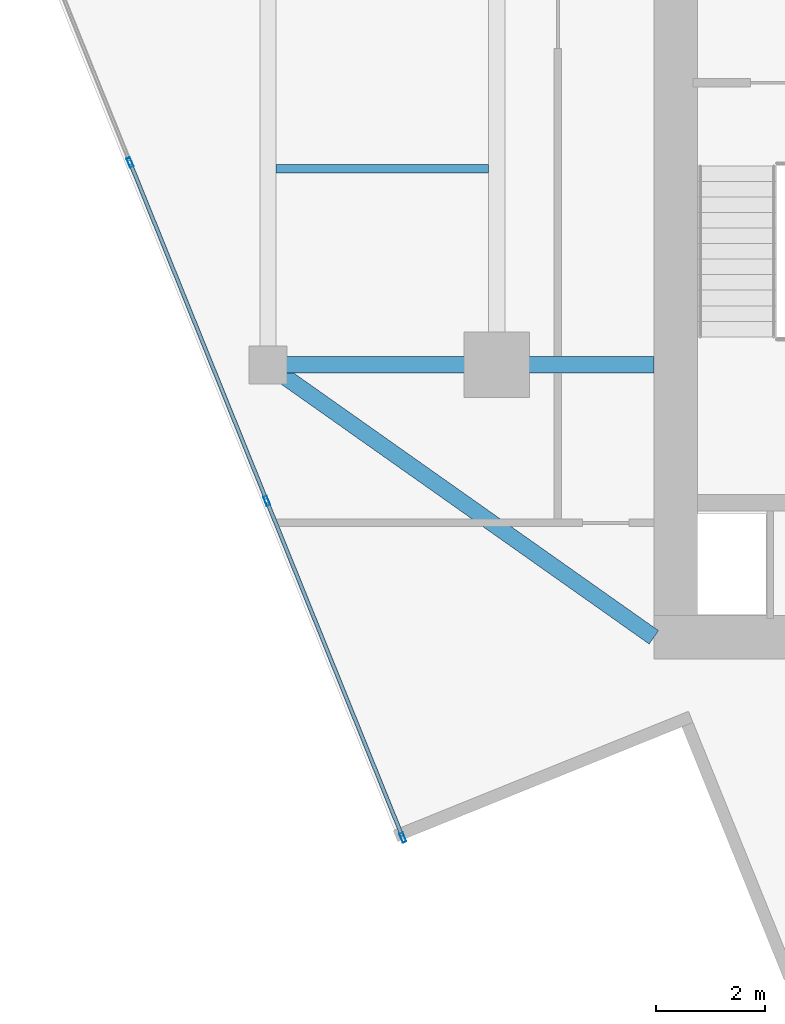
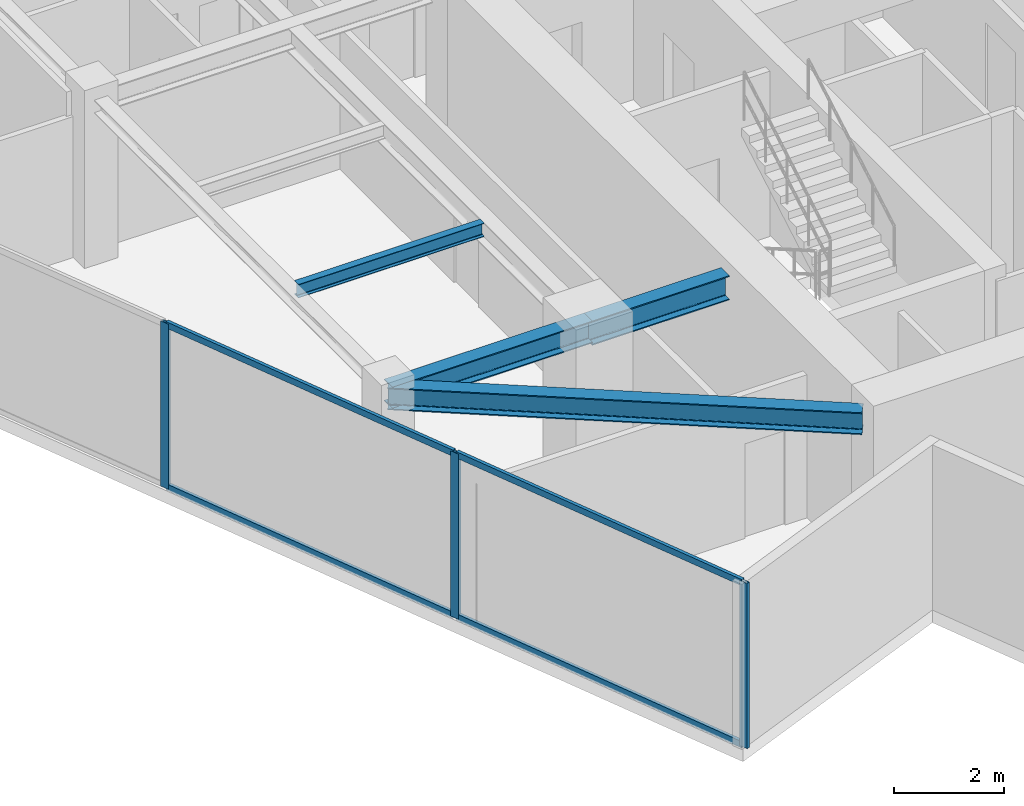
# One storey, part 2 of 21: 7 members, 4 beams, 1 element without a shape of its own.
"""IFC4 building model written with IfcOpenShell, lengths in metres."""

import ifcopenshell
import ifcopenshell.guid

model = None  # the IFC model being written
_history = None  # IfcOwnerHistory: only IFC2X3 demands one
_inside = {}  # id of a spatial element -> (the spatial element, [elements in it])
_under = {}  # id of a project, library or spatial element -> (it, [spatial elements below it])
_declared = {}  # id of a project -> (the project, [libraries it declares])
_typed = {}  # id of a type object -> (the type object, [elements of that type])
_made_of = {}  # id of a material, layer set ... -> (it, [elements and type objects made of it])


def new_model(schema):
    """Start an empty IFC model of exactly this schema.

    Asked for "IFC4X3", IfcOpenShell would pick the latest addendum, in which some entities
    have other attributes; the version numbers below select the first issue.
    IFC2X3 requires an IfcOwnerHistory on every rooted entity: one is made here for all.
    """
    global model, _history
    if schema == "IFC4X3":
        model = ifcopenshell.file(schema_version=(4, 3, 0, 0))
    else:
        model = ifcopenshell.file(schema=schema)
    _inside.clear()
    _under.clear()
    _declared.clear()
    _typed.clear()
    _made_of.clear()
    _history = None
    if model.schema == "IFC2X3":
        org = make("IfcOrganization", Name="unknown")
        user = make(
            "IfcPersonAndOrganization",
            ThePerson=make("IfcPerson", FamilyName="unknown"),
            TheOrganization=org,
        )
        app = make(
            "IfcApplication",
            ApplicationDeveloper=org,
            Version="unknown",
            ApplicationFullName="unknown",
            ApplicationIdentifier="unknown",
        )
        _history = make(
            "IfcOwnerHistory",
            OwningUser=user,
            OwningApplication=app,
            ChangeAction="ADDED",
            CreationDate=0,
        )
    return model


def make(cls, **values):
    """One entity of the class cls with the attributes given. An attribute that is None is left unset."""
    return model.create_entity(
        cls, **{name: value for name, value in values.items() if value is not None}
    )


def rooted(cls, **values):
    """An entity with a GlobalId (a new one), such as an element, a storey or a relation."""
    return make(cls, GlobalId=ifcopenshell.guid.new(), OwnerHistory=_history, **values)


def si_unit(unit_type, name, prefix=None):
    """IfcSIUnit, for example si_unit("LENGTHUNIT", "METRE", prefix="MILLI")."""
    return make("IfcSIUnit", UnitType=unit_type, Prefix=prefix, Name=name)


def assignment(units):
    """IfcUnitAssignment: the units of a project."""
    return None if units is None else make("IfcUnitAssignment", Units=units)


def point(xyz):
    """IfcCartesianPoint."""
    return None if xyz is None else make("IfcCartesianPoint", Coordinates=xyz)


def direction(xyz):
    """IfcDirection."""
    return None if xyz is None else make("IfcDirection", DirectionRatios=xyz)


def frame(location, z_axis=None, x_axis=None):
    """IfcAxis2Placement3D, a coordinate frame: its origin and axes. An axis left out is left unset."""
    return make(
        "IfcAxis2Placement3D",
        Location=point(location),
        Axis=direction(z_axis),
        RefDirection=direction(x_axis),
    )


def frame_2d(location, x_axis=None):
    """IfcAxis2Placement2D, a coordinate frame in the plane: its origin and x axis."""
    return make(
        "IfcAxis2Placement2D", Location=point(location), RefDirection=direction(x_axis)
    )


def origin():
    """The frame at (0, 0, 0) with its axes left unset."""
    return frame((0.0, 0.0, 0.0))


def origin_2d():
    """The frame at (0, 0) in the plane with its x axis left unset."""
    return frame_2d((0.0, 0.0))


def place(relative_to, where):
    """IfcLocalPlacement: puts the frame where relative to a parent placement (None: the world)."""
    return make(
        "IfcLocalPlacement", PlacementRelTo=relative_to, RelativePlacement=where
    )


def context(
    kind, dimensions, precision=None, world=None, true_north=None, identifier=None
):
    """IfcGeometricRepresentationContext, for example the 3D "Model" context."""
    return make(
        "IfcGeometricRepresentationContext",
        ContextIdentifier=identifier,
        ContextType=kind,
        CoordinateSpaceDimension=dimensions,
        Precision=precision,
        WorldCoordinateSystem=world,
        TrueNorth=true_north,
    )


def subcontext(parent, identifier, kind, view, scale=None):
    """IfcGeometricRepresentationSubContext, for example "Body" below "Model"."""
    return make(
        "IfcGeometricRepresentationSubContext",
        ContextIdentifier=identifier,
        ContextType=kind,
        ParentContext=parent,
        TargetScale=scale,
        TargetView=view,
    )


def project(units=None, contexts=None):
    """IfcProject with its units and contexts."""
    return rooted(
        "IfcProject",
        Name="project",
        RepresentationContexts=contexts,
        UnitsInContext=assignment(units),
    )


def spatial(cls, under=None, at=None, **own):
    """A site, building, storey or space (cls), placed at a placement, below another one or the project."""
    s = rooted(cls, ObjectPlacement=at, **own)
    if under is not None:
        _under.setdefault(under.id(), (under, []))[1].append(s)
    return s


def profile(cls, at=None, kind="AREA", **sizes):
    """A parametric profile (cls). Its sizes go by their IFC names, for example OverallWidth=200.0."""
    return make(cls, ProfileType=kind, Position=at, **sizes)


def hollow_rectangle(**sizes):
    """IfcRectangleHollowProfileDef."""
    return profile("IfcRectangleHollowProfileDef", **sizes)


def i_section(**sizes):
    """IfcIShapeProfileDef."""
    return profile("IfcIShapeProfileDef", **sizes)


def extrude(swept, where, along, depth):
    """IfcExtrudedAreaSolid: the profile swept, set in the frame where, extruded along a direction by depth."""
    return make(
        "IfcExtrudedAreaSolid",
        SweptArea=swept,
        Position=where,
        ExtrudedDirection=direction(along),
        Depth=depth,
    )


def shape(context_of_items, identifier, shape_type, items):
    """IfcShapeRepresentation: the items that make up one representation, for example the "Body"."""
    return make(
        "IfcShapeRepresentation",
        ContextOfItems=context_of_items,
        RepresentationIdentifier=identifier,
        RepresentationType=shape_type,
        Items=items,
    )


def source(mapping_origin, context_of_items, identifier, shape_type, items):
    """IfcRepresentationMap: a shape defined once, which mapped items show again and again."""
    return make(
        "IfcRepresentationMap",
        MappingOrigin=mapping_origin,
        MappedRepresentation=shape(context_of_items, identifier, shape_type, items),
    )


def transform(
    local_origin,
    x_axis=None,
    y_axis=None,
    z_axis=None,
    scale=None,
    scale2=None,
    scale3=None,
    uniform=True,
):
    """IfcCartesianTransformationOperator3D, or its non-uniform kind. x_axis, y_axis, z_axis: its Axis1, 2, 3."""
    if uniform:
        return make(
            "IfcCartesianTransformationOperator3D",
            Axis1=direction(x_axis),
            Axis2=direction(y_axis),
            LocalOrigin=point(local_origin),
            Scale=scale,
            Axis3=direction(z_axis),
        )
    return make(
        "IfcCartesianTransformationOperator3DnonUniform",
        Axis1=direction(x_axis),
        Axis2=direction(y_axis),
        LocalOrigin=point(local_origin),
        Scale=scale,
        Axis3=direction(z_axis),
        Scale2=scale2,
        Scale3=scale3,
    )


def mapped(mapping_source, mapping_target):
    """IfcMappedItem: shows the shape of a source again, moved by a transform."""
    return make(
        "IfcMappedItem", MappingSource=mapping_source, MappingTarget=mapping_target
    )


def material(Name=None, Category=None):
    """IfcMaterial."""
    return make("IfcMaterial", Name=Name, Category=Category)


def material_profile(
    of_material, cross_section, Name=None, Category=None, Priority=None
):
    """IfcMaterialProfile: a cross section and its material."""
    return make(
        "IfcMaterialProfile",
        Name=Name,
        Material=of_material,
        Profile=cross_section,
        Priority=Priority,
        Category=Category,
    )


def profile_set(profiles, Name=None, composite=None):
    """IfcMaterialProfileSet."""
    return make(
        "IfcMaterialProfileSet",
        Name=Name,
        MaterialProfiles=profiles,
        CompositeProfile=composite,
    )


def made_of(thing, what):
    """Note that an element or type object is made of a material, layer set ...; save() writes the relation."""
    if what is not None:
        _made_of.setdefault(what.id(), (what, []))[1].append(thing)
    return thing


def type_object(cls, material=None, **own):
    """A type object (cls), such as IfcWallType, which elements share."""
    return made_of(rooted(cls, **own), material)


def type_shapes(of_type, sources):
    """Give a type object the sources (RepresentationMaps) that its elements show as mapped items."""
    of_type.RepresentationMaps = sources


def element(
    cls,
    number,
    at=None,
    inside=None,
    cuts=None,
    type_object=None,
    material=None,
    context=None,
    identifier="Body",
    shape_type=None,
    held_by="IfcProductDefinitionShape",
    body=None,
    shapes=None,
    **own,
):
    """One element of the class cls, such as IfcWall. Its Tag is "e" and its number.

    at: its placement. inside: the storey or other place that contains it. cuts: it is an
    opening in that element (IfcRelVoidsElement). A single representation is given by context,
    identifier, shape_type and body (its items); several are given by shapes. held_by: the class
    of the entity that holds the representations. save() writes the other relations.
    """
    e = rooted(cls, Tag="e%d" % number, ObjectPlacement=at, **own)
    if body is not None:
        shapes = [shape(context, identifier, shape_type, body)]
    if shapes is not None:
        e.Representation = make(held_by, Representations=shapes)
    if inside is not None:
        _inside.setdefault(inside.id(), (inside, []))[1].append(e)
    if cuts is not None:
        rooted(
            "IfcRelVoidsElement", RelatingBuildingElement=cuts, RelatedOpeningElement=e
        )
    if type_object is not None:
        _typed.setdefault(type_object.id(), (type_object, []))[1].append(e)
    return made_of(e, material)


def aggregate(whole, parts):
    """IfcRelAggregates: a whole, such as a stair, and the parts it consists of."""
    return rooted("IfcRelAggregates", RelatingObject=whole, RelatedObjects=parts)


def save(model, path):
    """Write the relations noted so far, then the file.

    IfcRelAggregates (storeys below a building ...), IfcRelContainedInSpatialStructure (elements
    in a storey), IfcRelDefinesByType, IfcRelAssociatesMaterial and IfcRelDeclares: one each for
    every whole, place, type object, material and project.
    """
    for whole, parts in _under.values():
        aggregate(whole, parts)
    for where, things in _inside.values():
        rooted(
            "IfcRelContainedInSpatialStructure",
            RelatedElements=things,
            RelatingStructure=where,
        )
    for kind, things in _typed.values():
        rooted("IfcRelDefinesByType", RelatedObjects=things, RelatingType=kind)
    for what, things in _made_of.values():
        rooted("IfcRelAssociatesMaterial", RelatedObjects=things, RelatingMaterial=what)
    for by, libraries in _declared.values():
        rooted("IfcRelDeclares", RelatingContext=by, RelatedDefinitions=libraries)
    model.write(path)


model = new_model("IFC4")

# Units and contexts
model_context = context("Model", 3, precision=1e-05, world=origin(), true_north=direction((0.0, 1.0)))
body_context = subcontext(model_context, "Body", "Model", "MODEL_VIEW")
ifc_project = project(units=[si_unit("LENGTHUNIT", "METRE"), si_unit("AREAUNIT", "SQUARE_METRE"), si_unit("VOLUMEUNIT", "CUBIC_METRE"), si_unit("PLANEANGLEUNIT", "RADIAN"), si_unit("MASSUNIT", "GRAM", prefix="KILO")], contexts=[model_context])

# Site, building, storey
site_placement = place(None, origin())
site = spatial("IfcSite", under=ifc_project, at=site_placement, CompositionType="ELEMENT")
building_placement = place(site_placement, origin())
building = spatial("IfcBuilding", under=site, at=building_placement, Name="Krantzveldt Concourse Tower", CompositionType="ELEMENT")
storey_placement = place(building_placement, frame((0.0, 0.0, 323.75)))
storey = spatial("IfcBuildingStorey", under=building, at=storey_placement, Name="L79", CompositionType="ELEMENT", Elevation=323.75)

# Beams
ifc_material_1 = material(Name="Steel S355JR", Category="steel")
ifc_material_profile_1 = material_profile(ifc_material_1, i_section(OverallWidth=0.300048828125, OverallDepth=0.489990234375, WebThickness=0.011962890625, FlangeThickness=0.02294921875, FilletRadius=0.027099609375, at=origin_2d()), Name="Steel S355JR", Category="steel")
ifc_profile_set_1 = profile_set([ifc_material_profile_1], Name="Steel S355JR - HEA 500")
beam_type_1 = type_object("IfcBeamType", Name="BM-B-HEA500", PredefinedType="BEAM", material=ifc_profile_set_1)
shared_shape_1 = source(origin(), body_context, "Body", "SweptSolid", [
    extrude(i_section(OverallWidth=0.300048828125, OverallDepth=0.489990234375, WebThickness=0.011962890625, FlangeThickness=0.02294921875, FilletRadius=0.027099609375, at=origin_2d()), origin(), (0.0, 0.0, 1.0), 4.199951171875),
])
beam_1_placement = place(storey_placement, frame((21.0, 15.89990234375, 3.425048828125), z_axis=(1.0, 0.0, 0.0), x_axis=(0.0, 1.0, 0.0)))
element("IfcBeam", 1, at=beam_1_placement, inside=storey, type_object=beam_type_1, Name="L79 Tower Girder BR-RL1", PredefinedType="BEAM", context=body_context, shape_type="MappedRepresentation", body=[
    mapped(shared_shape_1, transform((0.0, 0.0, 0.0), x_axis=(1.0, 0.0, 0.0), y_axis=(0.0, 1.0, 0.0), z_axis=(0.0, 0.0, 1.0), scale=1.0)),
])
shared_shape_2 = source(origin(), body_context, "Body", "SweptSolid", [
    extrude(i_section(OverallWidth=0.300048828125, OverallDepth=0.489990234375, WebThickness=0.011962890625, FlangeThickness=0.02294921875, FilletRadius=0.027099609375, at=origin_2d()), origin(), (0.0, 0.0, 1.0), 8.667724609375),
])
type_shapes(beam_type_1, [shared_shape_1, shared_shape_2])
beam_2_placement = place(storey_placement, frame((21.0, 15.89990234375, 3.425048828125), z_axis=(0.81684294656, -0.576860122261, 0.0), x_axis=(0.576860122261, 0.81684294656, 0.0)))
element("IfcBeam", 2, at=beam_2_placement, inside=storey, type_object=beam_type_1, Name="L79 Tower Girder BR-CSW", PredefinedType="BEAM", context=body_context, shape_type="MappedRepresentation", body=[
    mapped(shared_shape_2, transform((0.0, 0.0, 0.0), x_axis=(1.0, 0.0, 0.0), y_axis=(0.0, 1.0, 0.0), z_axis=(0.0, 0.0, 1.0), scale=1.0)),
])
ifc_material_profile_2 = material_profile(ifc_material_1, i_section(OverallWidth=0.300048828125, OverallDepth=0.5400390625, WebThickness=0.012451171875, FlangeThickness=0.02392578125, FilletRadius=0.027099609375, at=origin_2d()), Name="Steel S355JR", Category="steel")
ifc_profile_set_2 = profile_set([ifc_material_profile_2], Name="Steel S355JR - HEA 550")
beam_type_2 = type_object("IfcBeamType", Name="BM-B-HEA550", PredefinedType="BEAM", material=ifc_profile_set_2)
shared_shape_3 = source(origin(), body_context, "Body", "SweptSolid", [
    extrude(i_section(OverallWidth=0.300048828125, OverallDepth=0.5400390625, WebThickness=0.012451171875, FlangeThickness=0.02392578125, FilletRadius=0.027099609375, at=origin_2d()), origin(), (0.0, 0.0, 1.0), 2.880126953125),
])
type_shapes(beam_type_2, [shared_shape_3])
beam_3_placement = place(storey_placement, frame((25.199951171875, 15.89990234375, 3.39990234375), z_axis=(1.0, 0.0, 0.0), x_axis=(0.0, 1.0, 0.0)))
element("IfcBeam", 3, at=beam_3_placement, inside=storey, type_object=beam_type_2, Name="L79 Tower Girder BG-CW1", PredefinedType="BEAM", context=body_context, shape_type="MappedRepresentation", body=[
    mapped(shared_shape_3, transform((0.0, 0.0, 0.0), x_axis=(1.0, 0.0, 0.0), y_axis=(0.0, 1.0, 0.0), z_axis=(0.0, 0.0, 1.0), scale=1.0)),
])
ifc_material_profile_3 = material_profile(ifc_material_1, i_section(OverallWidth=0.14990234375, OverallDepth=0.300048828125, WebThickness=0.007080078125, FlangeThickness=0.0107421875, FilletRadius=0.014892578125, at=origin_2d()), Name="Steel S355JR", Category="steel")
ifc_profile_set_3 = profile_set([ifc_material_profile_3], Name="Steel S355JR - IPE 300")
beam_type_3 = type_object("IfcBeamType", Name="BM-J-IPE300", PredefinedType="JOIST", material=ifc_profile_set_3)
shared_shape_4 = source(origin(), body_context, "Body", "SweptSolid", [
    extrude(i_section(OverallWidth=0.14990234375, OverallDepth=0.300048828125, WebThickness=0.007080078125, FlangeThickness=0.0107421875, FilletRadius=0.014892578125, at=origin_2d()), origin(), (0.0, 0.0, 1.0), 3.900146484375),
])
type_shapes(beam_type_3, [shared_shape_4])
beam_4_placement = place(storey_placement, frame((21.14990234375, 19.5, 3.52001953125), z_axis=(1.0, 0.0, 0.0), x_axis=(0.0, 1.0, 0.0)))
element("IfcBeam", 4, at=beam_4_placement, inside=storey, type_object=beam_type_3, Name="L79 Secondary Floor Joist JW-1", PredefinedType="JOIST", context=body_context, shape_type="MappedRepresentation", body=[
    mapped(shared_shape_4, transform((0.0, 0.0, 0.0), x_axis=(1.0, 0.0, 0.0), y_axis=(0.0, 1.0, 0.0), z_axis=(0.0, 0.0, 1.0), scale=1.0)),
])

# Curtain wall, members
ifc_material_2 = material(Name="Anodised aluminium 6063-T6", Category="aluminium")
curtain_wall_type = type_object("IfcCurtainWallType", Name="CW4", PredefinedType="USERDEFINED", material=ifc_material_2)
curtain_wall_placement = place(storey_placement, origin())
curtain_wall = element("IfcCurtainWall", 5, at=curtain_wall_placement, inside=storey, type_object=curtain_wall_type, Name="CW-L79-F04", ObjectType="UNITISED CURTAIN WALL", PredefinedType="USERDEFINED")
ifc_material_profile_4 = material_profile(ifc_material_2, hollow_rectangle(XDim=0.070068359375, YDim=0.179931640625, WallThickness=0.0048828125, at=origin_2d()), Name="Anodised aluminium 6063-T6", Category="aluminium")
ifc_profile_set_4 = profile_set([ifc_material_profile_4], Name="Anodised aluminium 6063-T6 - ALU-MULL 180x70x5")
member_type_1 = type_object("IfcMemberType", Name="CW-MUL-180", PredefinedType="MULLION", material=ifc_profile_set_4)
shared_shape_5 = source(origin(), body_context, "Body", "SweptSolid", [
    extrude(hollow_rectangle(XDim=0.070068359375, YDim=0.179931640625, WallThickness=0.0048828125, at=origin_2d()), origin(), (0.0, 0.0, 1.0), 3.669921875),
])
type_shapes(member_type_1, [shared_shape_5])
member_1_placement = place(storey_placement, frame((18.467041015625, 19.6162109375, 0.0), z_axis=(0.0, 0.0, 1.0), x_axis=(0.927183825969, 0.374606664198, 0.0)))
member_1 = element("IfcMember", 6, at=member_1_placement, type_object=member_type_1, Name="CW-Z56 mullion 3", PredefinedType="MULLION", context=body_context, shape_type="MappedRepresentation", body=[
    mapped(shared_shape_5, transform((0.0, 0.0, 0.0), x_axis=(1.0, 0.0, 0.0), y_axis=(0.0, 1.0, 0.0), z_axis=(0.0, 0.0, 1.0), scale=1.0)),
])
member_2_placement = place(storey_placement, frame((20.976806640625, 13.404052734375, 0.0), z_axis=(0.0, 0.0, 1.0), x_axis=(0.927183825969, 0.374606664198, 0.0)))
member_2 = element("IfcMember", 7, at=member_2_placement, type_object=member_type_1, Name="CW-Z56 mullion 4", PredefinedType="MULLION", context=body_context, shape_type="MappedRepresentation", body=[
    mapped(shared_shape_5, transform((0.0, 0.0, 0.0), x_axis=(1.0, 0.0, 0.0), y_axis=(0.0, 1.0, 0.0), z_axis=(0.0, 0.0, 1.0), scale=1.0)),
])
member_3_placement = place(storey_placement, frame((23.4736328125, 7.224365234375, 0.0), z_axis=(0.0, 0.0, 1.0), x_axis=(0.927183825969, 0.374606664198, 0.0)))
member_3 = element("IfcMember", 8, at=member_3_placement, type_object=member_type_1, Name="CW-Z56 mullion 5", PredefinedType="MULLION", context=body_context, shape_type="MappedRepresentation", body=[
    mapped(shared_shape_5, transform((0.0, 0.0, 0.0), x_axis=(1.0, 0.0, 0.0), y_axis=(0.0, 1.0, 0.0), z_axis=(0.0, 0.0, 1.0), scale=1.0)),
])
ifc_material_profile_5 = material_profile(ifc_material_2, hollow_rectangle(XDim=0.070068359375, YDim=0.139892578125, WallThickness=0.0048828125, at=origin_2d()), Name="Anodised aluminium 6063-T6", Category="aluminium")
ifc_profile_set_5 = profile_set([ifc_material_profile_5], Name="Anodised aluminium 6063-T6 - ALU-TRAN 140x70x5")
member_type_2 = type_object("IfcMemberType", Name="CW-TRN-150", PredefinedType="USERDEFINED", material=ifc_profile_set_5)
shared_shape_6 = source(origin(), body_context, "Body", "SweptSolid", [
    extrude(hollow_rectangle(XDim=0.070068359375, YDim=0.139892578125, WallThickness=0.0048828125, at=origin_2d()), origin(), (0.0, 0.0, 1.0), 6.594970703125),
])
member_4_placement = place(storey_placement, frame((20.989990234375, 13.37158203125, 0.034912109375), z_axis=(0.374598928417, -0.927186951391, 0.0), x_axis=(0.927186951391, 0.374598928417, 0.0)))
member_4 = element("IfcMember", 9, at=member_4_placement, type_object=member_type_2, Name="CW-Z56 transom 4.1", ObjectType="TRANSOM", PredefinedType="USERDEFINED", context=body_context, shape_type="MappedRepresentation", body=[
    mapped(shared_shape_6, transform((0.0, 0.0, 0.0), x_axis=(1.0, 0.0, 0.0), y_axis=(0.0, 1.0, 0.0), z_axis=(0.0, 0.0, 1.0), scale=1.0)),
])
member_5_placement = place(storey_placement, frame((20.989990234375, 13.37158203125, 3.635009765625), z_axis=(0.374598928417, -0.927186951391, 0.0), x_axis=(0.927186951391, 0.374598928417, 0.0)))
member_5 = element("IfcMember", 10, at=member_5_placement, type_object=member_type_2, Name="CW-Z56 transom 4.2", ObjectType="TRANSOM", PredefinedType="USERDEFINED", context=body_context, shape_type="MappedRepresentation", body=[
    mapped(shared_shape_6, transform((0.0, 0.0, 0.0), x_axis=(1.0, 0.0, 0.0), y_axis=(0.0, 1.0, 0.0), z_axis=(0.0, 0.0, 1.0), scale=1.0)),
])
shared_shape_7 = source(origin(), body_context, "Body", "SweptSolid", [
    extrude(hollow_rectangle(XDim=0.070068359375, YDim=0.139892578125, WallThickness=0.0048828125, at=origin_2d()), origin(), (0.0, 0.0, 1.0), 6.6298828125),
])
type_shapes(member_type_2, [shared_shape_6, shared_shape_7])
member_6_placement = place(storey_placement, frame((18.47998046875, 19.583740234375, 0.034912109375), z_axis=(0.374607342392, -0.92718355196, 0.0), x_axis=(0.92718355196, 0.374607342392, 0.0)))
member_6 = element("IfcMember", 11, at=member_6_placement, type_object=member_type_2, Name="CW-Z56 transom 3.1", ObjectType="TRANSOM", PredefinedType="USERDEFINED", context=body_context, shape_type="MappedRepresentation", body=[
    mapped(shared_shape_7, transform((0.0, 0.0, 0.0), x_axis=(1.0, 0.0, 0.0), y_axis=(0.0, 1.0, 0.0), z_axis=(0.0, 0.0, 1.0), scale=1.0)),
])
member_7_placement = place(storey_placement, frame((18.47998046875, 19.583740234375, 3.635009765625), z_axis=(0.374607342392, -0.92718355196, 0.0), x_axis=(0.92718355196, 0.374607342392, 0.0)))
member_7 = element("IfcMember", 12, at=member_7_placement, type_object=member_type_2, Name="CW-Z56 transom 3.2", ObjectType="TRANSOM", PredefinedType="USERDEFINED", context=body_context, shape_type="MappedRepresentation", body=[
    mapped(shared_shape_7, transform((0.0, 0.0, 0.0), x_axis=(1.0, 0.0, 0.0), y_axis=(0.0, 1.0, 0.0), z_axis=(0.0, 0.0, 1.0), scale=1.0)),
])
aggregate(curtain_wall, [member_1, member_2, member_3, member_6, member_7, member_4, member_5])

save(model, "model.ifc")
